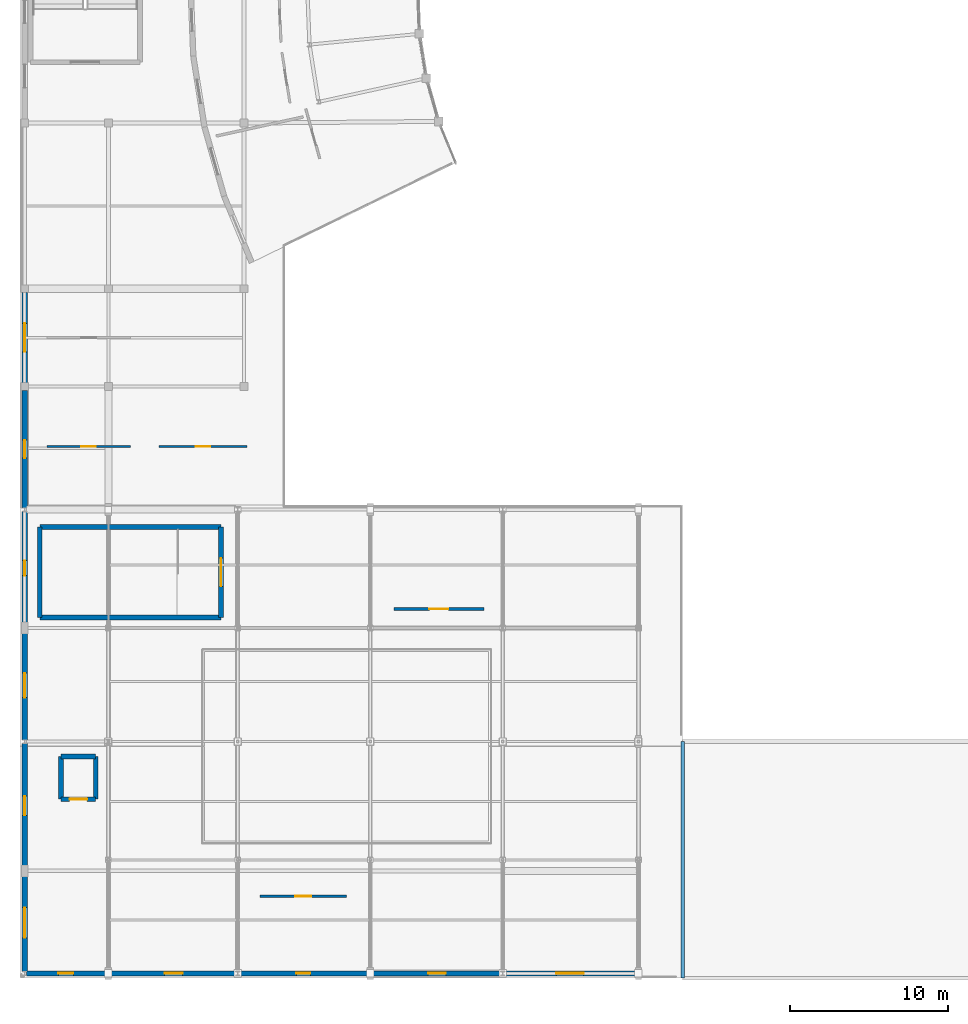
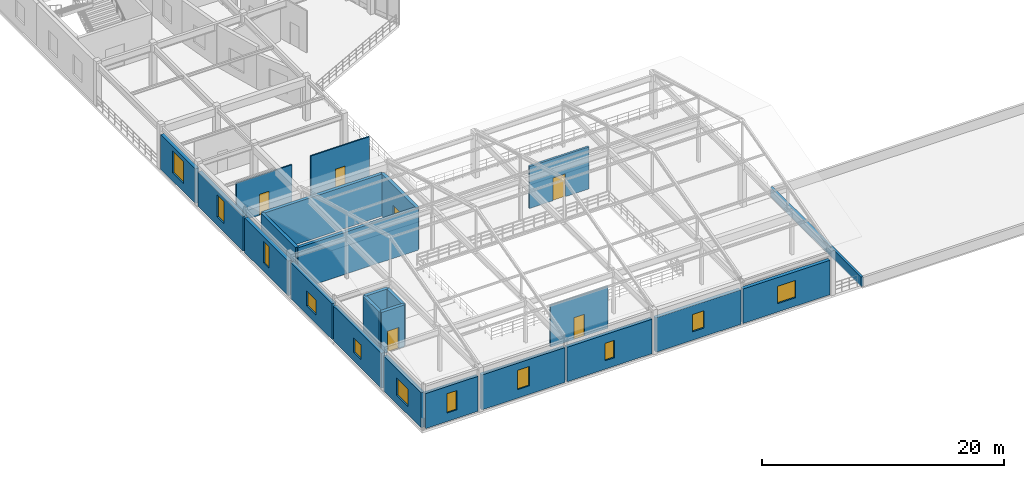
# One storey, part 82 of 112: 24 walls, 11 windows, 6 doors, 17 openings.
"""IFC4 building model written with IfcOpenShell, lengths in metres."""

from ifc_helpers import new_model, si_unit, direction, frame, frame_2d, origin, place, context, subcontext, project, spatial, rectangle, extrude, material, layer, layer_set, type_object, element, fill, save


model = new_model("IFC4")

# Units and contexts
model_context = context("Model", 3, precision=1e-05, world=origin(), true_north=direction((0.0, 1.0)))
body_context = subcontext(model_context, "Body", "Model", "MODEL_VIEW")
ifc_project = project(units=[si_unit("LENGTHUNIT", "METRE"), si_unit("AREAUNIT", "SQUARE_METRE"), si_unit("VOLUMEUNIT", "CUBIC_METRE"), si_unit("PLANEANGLEUNIT", "RADIAN"), si_unit("MASSUNIT", "GRAM", prefix="KILO")], contexts=[model_context])

# Site, building, storey
site_placement = place(None, origin())
site = spatial("IfcSite", under=ifc_project, at=site_placement, CompositionType="ELEMENT")
building_placement = place(site_placement, origin())
building = spatial("IfcBuilding", under=site, at=building_placement, Name="Cinderbank Siding Concert Hall", CompositionType="ELEMENT")
storey_placement = place(building_placement, frame((0.0, 0.0, 10.199951171875)))
storey = spatial("IfcBuildingStorey", under=building, at=storey_placement, Name="L03", CompositionType="ELEMENT", Elevation=10.199951171875)

# Wall, opening, door
ifc_material_1 = material(Name="Reinforced concrete AS 3600 N50 (50 MPa)", Category="concrete")
ifc_layer_1 = layer(ifc_material_1, 0.300048828125)
ifc_layer_set_1 = layer_set([ifc_layer_1], Name="Reinforced concrete AS 3600 N50 (50 MPa)")
wall_type_1 = type_object("IfcWallType", Name="WL-03 Structural Wall 300mm", PredefinedType="SHEAR", material=ifc_layer_set_1)
wall_1_placement = place(storey_placement, frame((19.5400390625, 34.39990234375, 0.0), z_axis=(0.0, 0.0, 1.0), x_axis=(0.0, -1.0, 0.0)))
wall_1 = element("IfcWall", 1, at=wall_1_placement, inside=storey, type_object=wall_type_1, Name="L03 ST-06 Core Wall ENTRY", PredefinedType="SHEAR", context=body_context, shape_type="SweptSolid", body=[
    extrude(rectangle(XDim=5.739990234375, YDim=0.300048828125, at=frame_2d((2.8701171875, 0.0))), origin(), (0.0, 0.0, 1.0), 4.239990234375),
])
opening_1_placement = place(wall_1_placement, frame((1.969970703125, 0.0, 0.0)))
opening_1 = element("IfcOpeningElement", 2, at=opening_1_placement, cuts=wall_1, Name="Opening D-05", PredefinedType="OPENING", context=body_context, shape_type="SweptSolid", body=[
    extrude(rectangle(XDim=1.800048828125, YDim=2.199951171875, at=frame_2d((0.89990234375, 1.10009765625))), frame((0.0, 0.162109375, 0.0), z_axis=(0.0, -1.0, 0.0), x_axis=(1.0, 0.0, 0.0)), (0.0, 0.0, 1.0), 0.323974609375),
])
ifc_material_2 = material(Name="Galvanised sheet steel acoustic fire door assembly", Category="steel")
door_type_1 = type_object("IfcDoorType", Name="D-05 Interior Door 1800x2200", OperationType="DOUBLE_DOOR_SINGLE_SWING", PredefinedType="DOOR", material=ifc_material_2)
door_1_placement = place(opening_1_placement, origin())
door_1 = element("IfcDoor", 3, at=door_1_placement, inside=storey, type_object=door_type_1, Name="L03 ST-06 Fire Stair Door L03-D038", OperationType="DOUBLE_DOOR_SINGLE_SWING", OverallHeight=2.199951171875, OverallWidth=1.800048828125, PredefinedType="DOOR", context=body_context, shape_type="SweptSolid", body=[
    extrude(rectangle(XDim=1.800048828125, YDim=2.199951171875, at=frame_2d((0.89990234375, 1.10009765625))), frame((0.0, 0.02490234375, 0.0), z_axis=(0.0, -1.0, 0.0), x_axis=(1.0, 0.0, 0.0)), (0.0, 0.0, 1.0), 0.050048828125),
])
fill(opening_1, door_1)

# Walls
wall_2_placement = place(storey_placement, frame((8.06005859375, 28.659912109375, 0.0), z_axis=(0.0, 0.0, 1.0), x_axis=(0.0, 1.0, 0.0)))
element("IfcWall", 4, at=wall_2_placement, inside=storey, type_object=wall_type_1, Name="L03 ST-06 Core Wall FAR", PredefinedType="SHEAR", context=body_context, shape_type="SweptSolid", body=[
    extrude(rectangle(XDim=5.739990234375, YDim=0.300048828125, at=frame_2d((2.8701171875, 0.0))), origin(), (0.0, 0.0, 1.0), 4.239990234375),
])
for number, where, z_axis, x_axis, name in (
    (5, (8.06005859375, 34.39990234375, 0.0), (0.0, 0.0, 1.0), (1.0, 0.0, 0.0), "L03 ST-06 Core Wall SIDE1"),
    (6, (19.5400390625, 28.659912109375, 0.0), (0.0, 0.0, 1.0), (-1.0, 0.0, 0.0), "L03 ST-06 Core Wall SIDE2"),
):
    element("IfcWall", number, at=place(storey_placement, frame(where, z_axis=z_axis, x_axis=x_axis)), inside=storey, type_object=wall_type_1, Name=name, PredefinedType="SHEAR", context=body_context, shape_type="SweptSolid", body=[
        extrude(rectangle(XDim=11.47998046875, YDim=0.300048828125, at=frame_2d((5.739990234375, 0.0))), origin(), (0.0, 0.0, 1.0), 4.239990234375),
    ])

# Wall, opening, door
wall_3_placement = place(storey_placement, frame((11.60009765625, 17.14990234375, 0.0), z_axis=(0.0, 0.0, 1.0), x_axis=(-1.0, 0.0, 0.0)))
wall_3 = element("IfcWall", 7, at=wall_3_placement, inside=storey, type_object=wall_type_1, Name="L03 LF-07 Shaft Wall -Y", PredefinedType="SHEAR", context=body_context, shape_type="SweptSolid", body=[
    extrude(rectangle(XDim=2.2001953125, YDim=0.300048828125, at=frame_2d((1.10009765625, 0.0))), origin(), (0.0, 0.0, 1.0), 4.239990234375),
])
opening_2_placement = place(wall_3_placement, frame((0.550048828125, 0.0, 0.0)))
opening_2 = element("IfcOpeningElement", 8, at=opening_2_placement, cuts=wall_3, Name="Opening LD-01", PredefinedType="OPENING", context=body_context, shape_type="SweptSolid", body=[
    extrude(rectangle(XDim=1.10009765625, YDim=2.14990234375, at=frame_2d((0.550048828125, 1.074951171875))), frame((0.0, 0.162109375, 0.0), z_axis=(0.0, -1.0, 0.0), x_axis=(1.0, 0.0, 0.0)), (0.0, 0.0, 1.0), 0.323974609375),
])
door_type_2 = type_object("IfcDoorType", Name="LD-01 Interior Door 1100x2150", OperationType="DOUBLE_DOOR_SLIDING", PredefinedType="DOOR", material=ifc_material_2)
door_2_placement = place(opening_2_placement, origin())
door_2 = element("IfcDoor", 9, at=door_2_placement, inside=storey, type_object=door_type_2, Name="L03 LF-07 Sliding Landing Door", OperationType="DOUBLE_DOOR_SLIDING", OverallHeight=2.14990234375, OverallWidth=1.10009765625, PredefinedType="DOOR", context=body_context, shape_type="SweptSolid", body=[
    extrude(rectangle(XDim=1.10009765625, YDim=2.14990234375, at=frame_2d((0.550048828125, 1.074951171875))), frame((0.0, 0.02490234375, 0.0), z_axis=(0.0, -1.0, 0.0), x_axis=(1.0, 0.0, 0.0)), (0.0, 0.0, 1.0), 0.050048828125),
])
fill(opening_2, door_2)

# Walls
wall_4_placement = place(storey_placement, frame((11.60009765625, 19.85009765625, 0.0), z_axis=(0.0, 0.0, 1.0), x_axis=(0.0, -1.0, 0.0)))
element("IfcWall", 10, at=wall_4_placement, inside=storey, type_object=wall_type_1, Name="L03 LF-07 Shaft Wall +X", PredefinedType="SHEAR", context=body_context, shape_type="SweptSolid", body=[
    extrude(rectangle(XDim=2.7001953125, YDim=0.300048828125, at=frame_2d((1.35009765625, 0.0))), origin(), (0.0, 0.0, 1.0), 4.239990234375),
])
wall_5_placement = place(storey_placement, frame((9.39990234375, 19.85009765625, 0.0), z_axis=(0.0, 0.0, 1.0), x_axis=(1.0, 0.0, 0.0)))
element("IfcWall", 11, at=wall_5_placement, inside=storey, type_object=wall_type_1, Name="L03 LF-07 Shaft Wall +Y", PredefinedType="SHEAR", context=body_context, shape_type="SweptSolid", body=[
    extrude(rectangle(XDim=2.2001953125, YDim=0.300048828125, at=frame_2d((1.10009765625, 0.0))), origin(), (0.0, 0.0, 1.0), 4.239990234375),
])
wall_6_placement = place(storey_placement, frame((9.39990234375, 17.14990234375, 0.0), z_axis=(0.0, 0.0, 1.0), x_axis=(0.0, 1.0, 0.0)))
element("IfcWall", 12, at=wall_6_placement, inside=storey, type_object=wall_type_1, Name="L03 LF-07 Shaft Wall -X", PredefinedType="SHEAR", context=body_context, shape_type="SweptSolid", body=[
    extrude(rectangle(XDim=2.7001953125, YDim=0.300048828125, at=frame_2d((1.35009765625, 0.0))), origin(), (0.0, 0.0, 1.0), 4.239990234375),
])

# Wall, opening, window
ifc_material_3 = material(Name="Clinker clay brickwork masonry AS 3700 (20 MPa)", Category="masonry")
ifc_layer_2 = layer(ifc_material_3, 0.340087890625)
ifc_layer_set_2 = layer_set([ifc_layer_2], Name="Clinker clay brickwork masonry AS 3700 (20 MPa)")
wall_type_2 = type_object("IfcWallType", Name="WL-07 Exterior Wall 340mm", PredefinedType="STANDARD", material=ifc_layer_set_2)
wall_7_placement = place(storey_placement, frame((12.215087890625, 6.10009765625, 0.0), z_axis=(0.0, 0.0, 1.0), x_axis=(-1.0, 0.0, 0.0)))
wall_7 = element("IfcWall", 13, at=wall_7_placement, inside=storey, type_object=wall_type_2, Name="L03 Facade Wall EW-V2-S0-L03", PredefinedType="STANDARD", context=body_context, shape_type="SweptSolid", body=[
    extrude(rectangle(XDim=5.003173828125, YDim=0.340087890625, at=frame_2d((2.50146484375, 0.0))), origin(), (0.0, 0.0, 1.0), 3.527099609375),
])
opening_3_placement = place(wall_7_placement, frame((2.026611328125, 0.0, 0.85009765625)))
opening_3 = element("IfcOpeningElement", 14, at=opening_3_placement, cuts=wall_7, Name="Opening WN-10", PredefinedType="OPENING", context=body_context, shape_type="SweptSolid", body=[
    extrude(rectangle(XDim=0.949951171875, YDim=1.949951171875, at=frame_2d((0.47509765625, 0.97509765625))), frame((0.0, 0.18212890625, 0.0), z_axis=(0.0, -1.0, 0.0), x_axis=(1.0, 0.0, 0.0)), (0.0, 0.0, 1.0), 0.364013671875),
])
ifc_material_4 = material(Name="Double-glazed laminated acoustic glass", Category="glass")
window_type_1 = type_object("IfcWindowType", Name="WN-10 Acoustic Casement Window 950x1950", PartitioningType="DOUBLE_PANEL_VERTICAL", PredefinedType="WINDOW", material=ifc_material_4)
window_1_placement = place(opening_3_placement, origin())
window_1 = element("IfcWindow", 15, at=window_1_placement, inside=storey, type_object=window_type_1, Name="L03 Facade Window #58", OverallHeight=1.949951171875, OverallWidth=0.949951171875, PartitioningType="DOUBLE_PANEL_VERTICAL", PredefinedType="WINDOW", context=body_context, shape_type="SweptSolid", body=[
    extrude(rectangle(XDim=0.949951171875, YDim=1.949951171875, at=frame_2d((0.47509765625, 0.97509765625))), frame((0.0, 0.030029296875, 0.0), z_axis=(0.0, -1.0, 0.0), x_axis=(1.0, 0.0, 0.0)), (0.0, 0.0, 1.0), 0.06005859375),
])
fill(opening_3, window_1)

wall_8_placement = place(storey_placement, frame((20.488037109375, 6.10009765625, 0.0), z_axis=(0.0, 0.0, 1.0), x_axis=(-1.0, 0.0, 0.0)))
wall_8 = element("IfcWall", 16, at=wall_8_placement, inside=storey, type_object=wall_type_2, Name="L03 Facade Wall EW-V2-S1-L03", PredefinedType="STANDARD", context=body_context, shape_type="SweptSolid", body=[
    extrude(rectangle(XDim=7.903076171875, YDim=0.340087890625, at=frame_2d((3.95166015625, 0.0))), origin(), (0.0, 0.0, 1.0), 3.527099609375),
])
opening_4_placement = place(wall_8_placement, frame((3.37646484375, 0.0, 0.85009765625)))
opening_4 = element("IfcOpeningElement", 17, at=opening_4_placement, cuts=wall_8, Name="Opening WN-12", PredefinedType="OPENING", context=body_context, shape_type="SweptSolid", body=[
    extrude(rectangle(XDim=1.14990234375, YDim=1.949951171875, at=frame_2d((0.574951171875, 0.97509765625))), frame((0.0, 0.18212890625, 0.0), z_axis=(0.0, -1.0, 0.0), x_axis=(1.0, 0.0, 0.0)), (0.0, 0.0, 1.0), 0.364013671875),
])
window_type_2 = type_object("IfcWindowType", Name="WN-12 Acoustic Casement Window 1150x1950", PartitioningType="DOUBLE_PANEL_VERTICAL", PredefinedType="WINDOW", material=ifc_material_4)
window_2_placement = place(opening_4_placement, origin())
window_2 = element("IfcWindow", 18, at=window_2_placement, inside=storey, type_object=window_type_2, Name="L03 Facade Window #60", OverallHeight=1.949951171875, OverallWidth=1.14990234375, PartitioningType="DOUBLE_PANEL_VERTICAL", PredefinedType="WINDOW", context=body_context, shape_type="SweptSolid", body=[
    extrude(rectangle(XDim=1.14990234375, YDim=1.949951171875, at=frame_2d((0.574951171875, 0.97509765625))), frame((0.0, 0.030029296875, 0.0), z_axis=(0.0, -1.0, 0.0), x_axis=(1.0, 0.0, 0.0)), (0.0, 0.0, 1.0), 0.06005859375),
])
fill(opening_4, window_2)

wall_9_placement = place(storey_placement, frame((28.81494140625, 6.10009765625, 0.0), z_axis=(0.0, 0.0, 1.0), x_axis=(-1.0, 0.0, 0.0)))
wall_9 = element("IfcWall", 19, at=wall_9_placement, inside=storey, type_object=wall_type_2, Name="L03 Facade Wall EW-V2-S2-L03", PredefinedType="STANDARD", context=body_context, shape_type="SweptSolid", body=[
    extrude(rectangle(XDim=8.10302734375, YDim=0.340087890625, at=frame_2d((4.051513671875, 0.0))), origin(), (0.0, 0.0, 1.0), 3.47705078125),
])
opening_5_placement = place(wall_9_placement, frame((3.6015625, 0.0, 0.85009765625)))
opening_5 = element("IfcOpeningElement", 20, at=opening_5_placement, cuts=wall_9, Name="Opening WN-17", PredefinedType="OPENING", context=body_context, shape_type="SweptSolid", body=[
    extrude(rectangle(XDim=0.89990234375, YDim=1.75, at=frame_2d((0.449951171875, 0.875))), frame((0.0, 0.18212890625, 0.0), z_axis=(0.0, -1.0, 0.0), x_axis=(1.0, 0.0, 0.0)), (0.0, 0.0, 1.0), 0.364013671875),
])
window_type_3 = type_object("IfcWindowType", Name="WN-17 Acoustic Casement Window 900x1750", PartitioningType="DOUBLE_PANEL_VERTICAL", PredefinedType="WINDOW", material=ifc_material_4)
window_3_placement = place(opening_5_placement, origin())
window_3 = element("IfcWindow", 21, at=window_3_placement, inside=storey, type_object=window_type_3, Name="L03 Facade Window #65", OverallHeight=1.75, OverallWidth=0.89990234375, PartitioningType="DOUBLE_PANEL_VERTICAL", PredefinedType="WINDOW", context=body_context, shape_type="SweptSolid", body=[
    extrude(rectangle(XDim=0.89990234375, YDim=1.75, at=frame_2d((0.449951171875, 0.875))), frame((0.0, 0.030029296875, 0.0), z_axis=(0.0, -1.0, 0.0), x_axis=(1.0, 0.0, 0.0)), (0.0, 0.0, 1.0), 0.06005859375),
])
fill(opening_5, window_3)

wall_10_placement = place(storey_placement, frame((37.2880859375, 6.10009765625, 0.0), z_axis=(0.0, 0.0, 1.0), x_axis=(-1.0, 0.0, 0.0)))
wall_10 = element("IfcWall", 22, at=wall_10_placement, inside=storey, type_object=wall_type_2, Name="L03 Facade Wall EW-V2-S3-L03", PredefinedType="STANDARD", context=body_context, shape_type="SweptSolid", body=[
    extrude(rectangle(XDim=8.10302734375, YDim=0.340087890625, at=frame_2d((4.051513671875, 0.0))), origin(), (0.0, 0.0, 1.0), 3.47705078125),
])
opening_6_placement = place(wall_10_placement, frame((3.491455078125, 0.0, 0.85009765625)))
opening_6 = element("IfcOpeningElement", 23, at=opening_6_placement, cuts=wall_10, Name="Opening WN-19", PredefinedType="OPENING", context=body_context, shape_type="SweptSolid", body=[
    extrude(rectangle(XDim=1.1201171875, YDim=1.75, at=frame_2d((0.56005859375, 0.875))), frame((0.0, 0.18212890625, 0.0), z_axis=(0.0, -1.0, 0.0), x_axis=(1.0, 0.0, 0.0)), (0.0, 0.0, 1.0), 0.364013671875),
])
window_type_4 = type_object("IfcWindowType", Name="WN-19 Acoustic Casement Window 1120x1750", PartitioningType="DOUBLE_PANEL_VERTICAL", PredefinedType="WINDOW", material=ifc_material_4)
window_4_placement = place(opening_6_placement, origin())
window_4 = element("IfcWindow", 24, at=window_4_placement, inside=storey, type_object=window_type_4, Name="L03 Facade Window #67", OverallHeight=1.75, OverallWidth=1.1201171875, PartitioningType="DOUBLE_PANEL_VERTICAL", PredefinedType="WINDOW", context=body_context, shape_type="SweptSolid", body=[
    extrude(rectangle(XDim=1.1201171875, YDim=1.75, at=frame_2d((0.56005859375, 0.875))), frame((0.0, 0.030029296875, 0.0), z_axis=(0.0, -1.0, 0.0), x_axis=(1.0, 0.0, 0.0)), (0.0, 0.0, 1.0), 0.06005859375),
])
fill(opening_6, window_4)

wall_11_placement = place(storey_placement, frame((45.81494140625, 6.10009765625, 0.0), z_axis=(0.0, 0.0, 1.0), x_axis=(-1.0, 0.0, 0.0)))
wall_11 = element("IfcWall", 25, at=wall_11_placement, inside=storey, type_object=wall_type_2, Name="L03 Facade Wall EW-V2-S4-L03", PredefinedType="STANDARD", context=body_context, shape_type="SweptSolid", body=[
    extrude(rectangle(XDim=8.302978515625, YDim=0.340087890625, at=frame_2d((4.1513671875, 0.0))), origin(), (0.0, 0.0, 1.0), 3.47705078125),
])
opening_7_placement = place(wall_11_placement, frame((3.29150390625, 0.0, 0.85009765625)))
opening_7 = element("IfcOpeningElement", 26, at=opening_7_placement, cuts=wall_11, Name="Opening WN-23", PredefinedType="OPENING", context=body_context, shape_type="SweptSolid", body=[
    extrude(rectangle(XDim=1.719970703125, YDim=1.75, at=frame_2d((0.85986328125, 0.875))), frame((0.0, 0.18212890625, 0.0), z_axis=(0.0, -1.0, 0.0), x_axis=(1.0, 0.0, 0.0)), (0.0, 0.0, 1.0), 0.364013671875),
])
window_type_5 = type_object("IfcWindowType", Name="WN-23 Acoustic Casement Window 1720x1750", PartitioningType="DOUBLE_PANEL_VERTICAL", PredefinedType="WINDOW", material=ifc_material_4)
window_5_placement = place(opening_7_placement, origin())
window_5 = element("IfcWindow", 27, at=window_5_placement, inside=storey, type_object=window_type_5, Name="L03 Facade Window #71", OverallHeight=1.75, OverallWidth=1.719970703125, PartitioningType="DOUBLE_PANEL_VERTICAL", PredefinedType="WINDOW", context=body_context, shape_type="SweptSolid", body=[
    extrude(rectangle(XDim=1.719970703125, YDim=1.75, at=frame_2d((0.85986328125, 0.875))), frame((0.0, 0.030029296875, 0.0), z_axis=(0.0, -1.0, 0.0), x_axis=(1.0, 0.0, 0.0)), (0.0, 0.0, 1.0), 0.06005859375),
])
fill(opening_7, window_5)

wall_12_placement = place(storey_placement, frame((7.10009765625, 6.2119140625, 0.0), z_axis=(0.0, 0.0, 1.0), x_axis=(0.0, 1.0, 0.0)))
wall_12 = element("IfcWall", 28, at=wall_12_placement, inside=storey, type_object=wall_type_2, Name="L03 Facade Wall EW-V2-W0-L03", PredefinedType="STANDARD", context=body_context, shape_type="SweptSolid", body=[
    extrude(rectangle(XDim=6.203125, YDim=0.340087890625, at=frame_2d((3.1015625, 0.0))), origin(), (0.0, 0.0, 1.0), 3.527099609375),
])
opening_8_placement = place(wall_12_placement, frame((2.1416015625, 0.0, 0.85009765625)))
opening_8 = element("IfcOpeningElement", 29, at=opening_8_placement, cuts=wall_12, Name="Opening WN-24", PredefinedType="OPENING", context=body_context, shape_type="SweptSolid", body=[
    extrude(rectangle(XDim=1.919921875, YDim=1.75, at=frame_2d((0.9599609375, 0.875))), frame((0.0, 0.18212890625, 0.0), z_axis=(0.0, -1.0, 0.0), x_axis=(1.0, 0.0, 0.0)), (0.0, 0.0, 1.0), 0.364013671875),
])
window_type_6 = type_object("IfcWindowType", Name="WN-24 Acoustic Casement Window 1920x1750", PartitioningType="DOUBLE_PANEL_VERTICAL", PredefinedType="WINDOW", material=ifc_material_4)
window_6_placement = place(opening_8_placement, origin())
window_6 = element("IfcWindow", 30, at=window_6_placement, inside=storey, type_object=window_type_6, Name="L03 Facade Window #72", OverallHeight=1.75, OverallWidth=1.919921875, PartitioningType="DOUBLE_PANEL_VERTICAL", PredefinedType="WINDOW", context=body_context, shape_type="SweptSolid", body=[
    extrude(rectangle(XDim=1.919921875, YDim=1.75, at=frame_2d((0.9599609375, 0.875))), frame((0.0, 0.030029296875, 0.0), z_axis=(0.0, -1.0, 0.0), x_axis=(1.0, 0.0, 0.0)), (0.0, 0.0, 1.0), 0.06005859375),
])
fill(opening_8, window_6)

wall_13_placement = place(storey_placement, frame((7.10009765625, 12.784912109375, 0.0), z_axis=(0.0, 0.0, 1.0), x_axis=(0.0, 1.0, 0.0)))
wall_13 = element("IfcWall", 31, at=wall_13_placement, inside=storey, type_object=wall_type_2, Name="L03 Facade Wall EW-V2-W1-L03", PredefinedType="STANDARD", context=body_context, shape_type="SweptSolid", body=[
    extrude(rectangle(XDim=7.903076171875, YDim=0.340087890625, at=frame_2d((3.95166015625, 0.0))), origin(), (0.0, 0.0, 1.0), 3.527099609375),
])
opening_9_placement = place(wall_13_placement, frame((3.341552734375, 0.0, 0.85009765625)))
opening_9 = element("IfcOpeningElement", 32, at=opening_9_placement, cuts=wall_13, Name="Opening WN-27", PredefinedType="OPENING", context=body_context, shape_type="SweptSolid", body=[
    extrude(rectangle(XDim=1.219970703125, YDim=1.5, at=frame_2d((0.60986328125, 0.75))), frame((0.0, 0.18212890625, 0.0), z_axis=(0.0, -1.0, 0.0), x_axis=(1.0, 0.0, 0.0)), (0.0, 0.0, 1.0), 0.364013671875),
])
window_type_7 = type_object("IfcWindowType", Name="WN-27 Acoustic Casement Window 1220x1500", PartitioningType="DOUBLE_PANEL_VERTICAL", PredefinedType="WINDOW", material=ifc_material_4)
window_7_placement = place(opening_9_placement, origin())
window_7 = element("IfcWindow", 33, at=window_7_placement, inside=storey, type_object=window_type_7, Name="L03 Facade Window #75", OverallHeight=1.5, OverallWidth=1.219970703125, PartitioningType="DOUBLE_PANEL_VERTICAL", PredefinedType="WINDOW", context=body_context, shape_type="SweptSolid", body=[
    extrude(rectangle(XDim=1.219970703125, YDim=1.5, at=frame_2d((0.60986328125, 0.75))), frame((0.0, 0.030029296875, 0.0), z_axis=(0.0, -1.0, 0.0), x_axis=(1.0, 0.0, 0.0)), (0.0, 0.0, 1.0), 0.06005859375),
])
fill(opening_9, window_7)

wall_14_placement = place(storey_placement, frame((7.10009765625, 20.912109375, 0.0), z_axis=(0.0, 0.0, 1.0), x_axis=(0.0, 1.0, 0.0)))
wall_14 = element("IfcWall", 34, at=wall_14_placement, inside=storey, type_object=wall_type_2, Name="L03 Facade Wall EW-V2-W2-L03", PredefinedType="STANDARD", context=body_context, shape_type="SweptSolid", body=[
    extrude(rectangle(XDim=6.90283203125, YDim=0.340087890625, at=frame_2d((3.451416015625, 0.0))), origin(), (0.0, 0.0, 1.0), 3.624755859375),
])
opening_10_placement = place(wall_14_placement, frame((2.676513671875, 0.0, 0.85009765625)))
opening_10 = element("IfcOpeningElement", 35, at=opening_10_placement, cuts=wall_14, Name="Opening WN-29", PredefinedType="OPENING", context=body_context, shape_type="SweptSolid", body=[
    extrude(rectangle(XDim=1.550048828125, YDim=1.5, at=frame_2d((0.77490234375, 0.75))), frame((0.0, 0.18212890625, 0.0), z_axis=(0.0, -1.0, 0.0), x_axis=(1.0, 0.0, 0.0)), (0.0, 0.0, 1.0), 0.364013671875),
])
window_type_8 = type_object("IfcWindowType", Name="WN-29 Acoustic Casement Window 1550x1500", PartitioningType="DOUBLE_PANEL_VERTICAL", PredefinedType="WINDOW", material=ifc_material_4)
window_8_placement = place(opening_10_placement, origin())
window_8 = element("IfcWindow", 36, at=window_8_placement, inside=storey, type_object=window_type_8, Name="L03 Facade Window #77", OverallHeight=1.5, OverallWidth=1.550048828125, PartitioningType="DOUBLE_PANEL_VERTICAL", PredefinedType="WINDOW", context=body_context, shape_type="SweptSolid", body=[
    extrude(rectangle(XDim=1.550048828125, YDim=1.5, at=frame_2d((0.77490234375, 0.75))), frame((0.0, 0.030029296875, 0.0), z_axis=(0.0, -1.0, 0.0), x_axis=(1.0, 0.0, 0.0)), (0.0, 0.0, 1.0), 0.06005859375),
])
fill(opening_10, window_8)

wall_15_placement = place(storey_placement, frame((7.10009765625, 28.18505859375, 0.0), z_axis=(0.0, 0.0, 1.0), x_axis=(0.0, 1.0, 0.0)))
wall_15 = element("IfcWall", 37, at=wall_15_placement, inside=storey, type_object=wall_type_2, Name="L03 Facade Wall EW-V2-W3-L03", PredefinedType="STANDARD", context=body_context, shape_type="SweptSolid", body=[
    extrude(rectangle(XDim=7.202880859375, YDim=0.340087890625, at=frame_2d((3.6015625, 0.0))), origin(), (0.0, 0.0, 1.0), 3.4970703125),
])
opening_11_placement = place(wall_15_placement, frame((3.12646484375, 0.0, 0.85009765625)))
opening_11 = element("IfcOpeningElement", 38, at=opening_11_placement, cuts=wall_15, Name="Opening WN-02", PredefinedType="OPENING", context=body_context, shape_type="SweptSolid", body=[
    extrude(rectangle(XDim=0.949951171875, YDim=2.199951171875, at=frame_2d((0.47509765625, 1.10009765625))), frame((0.0, 0.18212890625, 0.0), z_axis=(0.0, -1.0, 0.0), x_axis=(1.0, 0.0, 0.0)), (0.0, 0.0, 1.0), 0.364013671875),
])
window_type_9 = type_object("IfcWindowType", Name="WN-02 Acoustic Casement Window 950x2200", PartitioningType="DOUBLE_PANEL_VERTICAL", PredefinedType="WINDOW", material=ifc_material_4)
window_9_placement = place(opening_11_placement, origin())
window_9 = element("IfcWindow", 39, at=window_9_placement, inside=storey, type_object=window_type_9, Name="L03 Facade Window #80", OverallHeight=2.199951171875, OverallWidth=0.949951171875, PartitioningType="DOUBLE_PANEL_VERTICAL", PredefinedType="WINDOW", context=body_context, shape_type="SweptSolid", body=[
    extrude(rectangle(XDim=0.949951171875, YDim=2.199951171875, at=frame_2d((0.47509765625, 1.10009765625))), frame((0.0, 0.030029296875, 0.0), z_axis=(0.0, -1.0, 0.0), x_axis=(1.0, 0.0, 0.0)), (0.0, 0.0, 1.0), 0.06005859375),
])
fill(opening_11, window_9)

wall_16_placement = place(storey_placement, frame((7.10009765625, 35.612060546875, 0.0), z_axis=(0.0, 0.0, 1.0), x_axis=(0.0, 1.0, 0.0)))
wall_16 = element("IfcWall", 40, at=wall_16_placement, inside=storey, type_object=wall_type_2, Name="L03 Facade Wall EW-WL-W0-L03", PredefinedType="STANDARD", context=body_context, shape_type="SweptSolid", body=[
    extrude(rectangle(XDim=7.452880859375, YDim=0.340087890625, at=frame_2d((3.7265625, 0.0))), origin(), (0.0, 0.0, 1.0), 3.4970703125),
])
opening_12_placement = place(wall_16_placement, frame((3.151611328125, 0.0, 0.85009765625)))
opening_12 = element("IfcOpeningElement", 41, at=opening_12_placement, cuts=wall_16, Name="Opening WN-04", PredefinedType="OPENING", context=body_context, shape_type="SweptSolid", body=[
    extrude(rectangle(XDim=1.14990234375, YDim=2.199951171875, at=frame_2d((0.574951171875, 1.10009765625))), frame((0.0, 0.18212890625, 0.0), z_axis=(0.0, -1.0, 0.0), x_axis=(1.0, 0.0, 0.0)), (0.0, 0.0, 1.0), 0.364013671875),
])
window_type_10 = type_object("IfcWindowType", Name="WN-04 Acoustic Casement Window 1150x2200", PartitioningType="DOUBLE_PANEL_VERTICAL", PredefinedType="WINDOW", material=ifc_material_4)
window_10_placement = place(opening_12_placement, origin())
window_10 = element("IfcWindow", 42, at=window_10_placement, inside=storey, type_object=window_type_10, Name="L03 Facade Window #82", OverallHeight=2.199951171875, OverallWidth=1.14990234375, PartitioningType="DOUBLE_PANEL_VERTICAL", PredefinedType="WINDOW", context=body_context, shape_type="SweptSolid", body=[
    extrude(rectangle(XDim=1.14990234375, YDim=2.199951171875, at=frame_2d((0.574951171875, 1.10009765625))), frame((0.0, 0.030029296875, 0.0), z_axis=(0.0, -1.0, 0.0), x_axis=(1.0, 0.0, 0.0)), (0.0, 0.0, 1.0), 0.06005859375),
])
fill(opening_12, window_10)

wall_17_placement = place(storey_placement, frame((7.10009765625, 43.534912109375, 0.0), z_axis=(0.0, 0.0, 1.0), x_axis=(0.0, 1.0, 0.0)))
wall_17 = element("IfcWall", 43, at=wall_17_placement, inside=storey, type_object=wall_type_2, Name="L03 Facade Wall EW-WL-W1-L03", PredefinedType="STANDARD", context=body_context, shape_type="SweptSolid", body=[
    extrude(rectangle(XDim=5.72998046875, YDim=0.340087890625, at=frame_2d((2.864990234375, 0.0))), origin(), (0.0, 0.0, 1.0), 3.4970703125),
])
opening_13_placement = place(wall_17_placement, frame((1.965087890625, 0.0, 0.85009765625)))
opening_13 = element("IfcOpeningElement", 44, at=opening_13_placement, cuts=wall_17, Name="Opening WN-08", PredefinedType="OPENING", context=body_context, shape_type="SweptSolid", body=[
    extrude(rectangle(XDim=1.800048828125, YDim=2.199951171875, at=frame_2d((0.89990234375, 1.10009765625))), frame((0.0, 0.18212890625, 0.0), z_axis=(0.0, -1.0, 0.0), x_axis=(1.0, 0.0, 0.0)), (0.0, 0.0, 1.0), 0.364013671875),
])
window_type_11 = type_object("IfcWindowType", Name="WN-08 Acoustic Casement Window 1800x2200", PartitioningType="DOUBLE_PANEL_VERTICAL", PredefinedType="WINDOW", material=ifc_material_4)
window_11_placement = place(opening_13_placement, origin())
window_11 = element("IfcWindow", 45, at=window_11_placement, inside=storey, type_object=window_type_11, Name="L03 Facade Window #86", OverallHeight=2.199951171875, OverallWidth=1.800048828125, PartitioningType="DOUBLE_PANEL_VERTICAL", PredefinedType="WINDOW", context=body_context, shape_type="SweptSolid", body=[
    extrude(rectangle(XDim=1.800048828125, YDim=2.199951171875, at=frame_2d((0.89990234375, 1.10009765625))), frame((0.0, 0.030029296875, 0.0), z_axis=(0.0, -1.0, 0.0), x_axis=(1.0, 0.0, 0.0)), (0.0, 0.0, 1.0), 0.06005859375),
])
fill(opening_13, window_11)

# Wall
ifc_layer_3 = layer(ifc_material_3, 0.22998046875)
ifc_layer_set_3 = layer_set([ifc_layer_3], Name="Clinker clay brickwork masonry AS 3700 (20 MPa)")
wall_type_3 = type_object("IfcWallType", Name="WL-10 Exterior Wall 230mm", PredefinedType="PARAPET", material=ifc_layer_set_3)
wall_18_placement = place(storey_placement, frame((48.800048828125, 5.800048828125, -0.119873046875), z_axis=(0.0, 0.0, 1.0), x_axis=(0.0, 1.0, 0.0)))
element("IfcWall", 46, at=wall_18_placement, inside=storey, type_object=wall_type_3, Name="Roof Parapet ROOF-L03-SL-2", PredefinedType="PARAPET", context=body_context, shape_type="SweptSolid", body=[
    extrude(rectangle(XDim=15.0, YDim=0.22998046875, at=frame_2d((7.5, 0.0))), origin(), (0.0, 0.0, 1.0), 0.949951171875),
])

# Wall, opening, door
ifc_material_5 = material(Name="Acoustic plasterboard on light-gauge steel studs", Category="gypsum")
ifc_layer_4 = layer(ifc_material_5, 0.199951171875)
ifc_layer_set_4 = layer_set([ifc_layer_4], Name="Acoustic plasterboard on light-gauge steel studs")
wall_type_4 = type_object("IfcWallType", Name="WL-12 Interior Wall 200mm", PredefinedType="PARTITIONING", material=ifc_layer_set_4)
wall_19_placement = place(storey_placement, frame((30.5, 29.199951171875, 0.0), z_axis=(0.0, 0.0, 1.0), x_axis=(1.0, 0.0, 0.0)))
wall_19 = element("IfcWall", 47, at=wall_19_placement, inside=storey, type_object=wall_type_4, Name="L03 Partition Early Music Studio", PredefinedType="PARTITIONING", context=body_context, shape_type="SweptSolid", body=[
    extrude(rectangle(XDim=5.699951171875, YDim=0.199951171875, at=frame_2d((2.85009765625, 0.0))), origin(), (0.0, 0.0, 1.0), 4.22509765625),
])
opening_14_placement = place(wall_19_placement, frame((2.25, 0.0, 0.0)))
opening_14 = element("IfcOpeningElement", 48, at=opening_14_placement, cuts=wall_19, Name="Opening D-12", PredefinedType="OPENING", context=body_context, shape_type="SweptSolid", body=[
    extrude(rectangle(XDim=1.199951171875, YDim=2.300048828125, at=frame_2d((0.60009765625, 1.14990234375))), frame((0.0, 0.11181640625, 0.0), z_axis=(0.0, -1.0, 0.0), x_axis=(1.0, 0.0, 0.0)), (0.0, 0.0, 1.0), 0.223876953125),
])
ifc_material_6 = material(Name="Solid-core spotted gum acoustic timber", Category="wood")
door_type_3 = type_object("IfcDoorType", Name="D-12 Interior Door 1200x2300", OperationType="NOTDEFINED", PredefinedType="DOOR", material=ifc_material_6)
door_3_placement = place(opening_14_placement, origin())
door_3 = element("IfcDoor", 49, at=door_3_placement, inside=storey, type_object=door_type_3, Name="L03 Early Music Studio Door L03-D272", OperationType="SINGLE_SWING_LEFT", OverallHeight=2.300048828125, OverallWidth=1.199951171875, PredefinedType="DOOR", context=body_context, shape_type="SweptSolid", body=[
    extrude(rectangle(XDim=1.199951171875, YDim=2.300048828125, at=frame_2d((0.60009765625, 1.14990234375))), frame((0.0, 0.02490234375, 0.0), z_axis=(0.0, -1.0, 0.0), x_axis=(1.0, 0.0, 0.0)), (0.0, 0.0, 1.0), 0.050048828125),
])
fill(opening_14, door_3)

ifc_layer_5 = layer(ifc_material_5, 0.159912109375)
ifc_layer_set_5 = layer_set([ifc_layer_5], Name="Acoustic plasterboard on light-gauge steel studs")
wall_type_5 = type_object("IfcWallType", Name="WL-14 Interior Wall 160mm", PredefinedType="PARTITIONING", material=ifc_layer_set_5)
wall_20_placement = place(storey_placement, frame((22.0, 11.0, 0.0), z_axis=(0.0, 0.0, 1.0), x_axis=(1.0, 0.0, 0.0)))
wall_20 = element("IfcWall", 50, at=wall_20_placement, inside=storey, type_object=wall_type_5, Name="L03 Partition Chamber Acoustic Control", PredefinedType="PARTITIONING", context=body_context, shape_type="SweptSolid", body=[
    extrude(rectangle(XDim=5.5, YDim=0.159912109375, at=frame_2d((2.75, 0.0))), origin(), (0.0, 0.0, 1.0), 4.22509765625),
])
opening_15_placement = place(wall_20_placement, frame((2.25, 0.0, 0.0)))
opening_15 = element("IfcOpeningElement", 51, at=opening_15_placement, cuts=wall_20, Name="Opening D-03", PredefinedType="OPENING", context=body_context, shape_type="SweptSolid", body=[
    extrude(rectangle(XDim=1.0, YDim=2.199951171875, at=frame_2d((0.5, 1.10009765625))), frame((0.0, 0.091796875, 0.0), z_axis=(0.0, -1.0, 0.0), x_axis=(1.0, 0.0, 0.0)), (0.0, 0.0, 1.0), 0.183837890625),
])
door_type_4 = type_object("IfcDoorType", Name="D-03 Interior Door 1000x2200", OperationType="NOTDEFINED", PredefinedType="DOOR", material=ifc_material_6)
door_4_placement = place(opening_15_placement, origin())
door_4 = element("IfcDoor", 52, at=door_4_placement, inside=storey, type_object=door_type_4, Name="L03 Chamber Acoustic Control Door L03-D271", OperationType="SINGLE_SWING_RIGHT", OverallHeight=2.199951171875, OverallWidth=1.0, PredefinedType="DOOR", context=body_context, shape_type="SweptSolid", body=[
    extrude(rectangle(XDim=1.0, YDim=2.199951171875, at=frame_2d((0.5, 1.10009765625))), frame((0.0, 0.02490234375, 0.0), z_axis=(0.0, -1.0, 0.0), x_axis=(1.0, 0.0, 0.0)), (0.0, 0.0, 1.0), 0.050048828125),
])
fill(opening_15, door_4)

ifc_layer_6 = layer(ifc_material_5, 0.1298828125)
ifc_layer_set_6 = layer_set([ifc_layer_6], Name="Acoustic plasterboard on light-gauge steel studs")
wall_type_6 = type_object("IfcWallType", Name="WL-17 Interior Wall 130mm", PredefinedType="PARTITIONING", material=ifc_layer_set_6)
wall_21_placement = place(storey_placement, frame((8.5, 39.5, 0.0), z_axis=(0.0, 0.0, 1.0), x_axis=(1.0, 0.0, 0.0)))
wall_21 = element("IfcWall", 53, at=wall_21_placement, inside=storey, type_object=wall_type_6, Name="L03 Partition L03 Male WC", PredefinedType="PARTITIONING", context=body_context, shape_type="SweptSolid", body=[
    extrude(rectangle(XDim=5.300048828125, YDim=0.1298828125, at=frame_2d((2.64990234375, 0.0))), origin(), (0.0, 0.0, 1.0), 3.995361328125),
])
opening_16_placement = place(wall_21_placement, frame((2.18994140625, 0.0, 0.0)))
opening_16 = element("IfcOpeningElement", 54, at=opening_16_placement, cuts=wall_21, Name="Opening D-09", PredefinedType="OPENING", context=body_context, shape_type="SweptSolid", body=[
    extrude(rectangle(XDim=0.919921875, YDim=2.10009765625, at=frame_2d((0.4599609375, 1.050048828125))), frame((0.0, 0.076904296875, 0.0), z_axis=(0.0, -1.0, 0.0), x_axis=(1.0, 0.0, 0.0)), (0.0, 0.0, 1.0), 0.15380859375),
])
door_type_5 = type_object("IfcDoorType", Name="D-09 Interior Door 920x2100", OperationType="NOTDEFINED", PredefinedType="DOOR", material=ifc_material_6)
door_5_placement = place(opening_16_placement, origin())
door_5 = element("IfcDoor", 55, at=door_5_placement, inside=storey, type_object=door_type_5, Name="L03 L03 Male WC Door L03-D275", OperationType="SINGLE_SWING_LEFT", OverallHeight=2.10009765625, OverallWidth=0.919921875, PredefinedType="DOOR", context=body_context, shape_type="SweptSolid", body=[
    extrude(rectangle(XDim=0.919921875, YDim=2.10009765625, at=frame_2d((0.4599609375, 1.050048828125))), frame((0.0, 0.02490234375, 0.0), z_axis=(0.0, -1.0, 0.0), x_axis=(1.0, 0.0, 0.0)), (0.0, 0.0, 1.0), 0.050048828125),
])
fill(opening_16, door_5)

wall_22_placement = place(storey_placement, frame((15.60009765625, 39.5, 0.0), z_axis=(0.0, 0.0, 1.0), x_axis=(1.0, 0.0, 0.0)))
wall_22 = element("IfcWall", 56, at=wall_22_placement, inside=storey, type_object=wall_type_6, Name="L03 Partition L03 Female WC", PredefinedType="PARTITIONING", context=body_context, shape_type="SweptSolid", body=[
    extrude(rectangle(XDim=5.599853515625, YDim=0.1298828125, at=frame_2d((2.7998046875, 0.0))), origin(), (0.0, 0.0, 1.0), 4.2451171875),
])
opening_17_placement = place(wall_22_placement, frame((2.340087890625, 0.0, 0.0)))
opening_17 = element("IfcOpeningElement", 57, at=opening_17_placement, cuts=wall_22, Name="Opening D-09", PredefinedType="OPENING", context=body_context, shape_type="SweptSolid", body=[
    extrude(rectangle(XDim=0.919921875, YDim=2.10009765625, at=frame_2d((0.4599609375, 1.050048828125))), frame((0.0, 0.076904296875, 0.0), z_axis=(0.0, -1.0, 0.0), x_axis=(1.0, 0.0, 0.0)), (0.0, 0.0, 1.0), 0.15380859375),
])
door_6_placement = place(opening_17_placement, origin())
door_6 = element("IfcDoor", 58, at=door_6_placement, inside=storey, type_object=door_type_5, Name="L03 L03 Female WC Door L03-D276", OperationType="SINGLE_SWING_RIGHT", OverallHeight=2.10009765625, OverallWidth=0.919921875, PredefinedType="DOOR", context=body_context, shape_type="SweptSolid", body=[
    extrude(rectangle(XDim=0.919921875, YDim=2.10009765625, at=frame_2d((0.4599609375, 1.050048828125))), frame((0.0, 0.02490234375, 0.0), z_axis=(0.0, -1.0, 0.0), x_axis=(1.0, 0.0, 0.0)), (0.0, 0.0, 1.0), 0.050048828125),
])
fill(opening_17, door_6)

save(model, "model.ifc")
